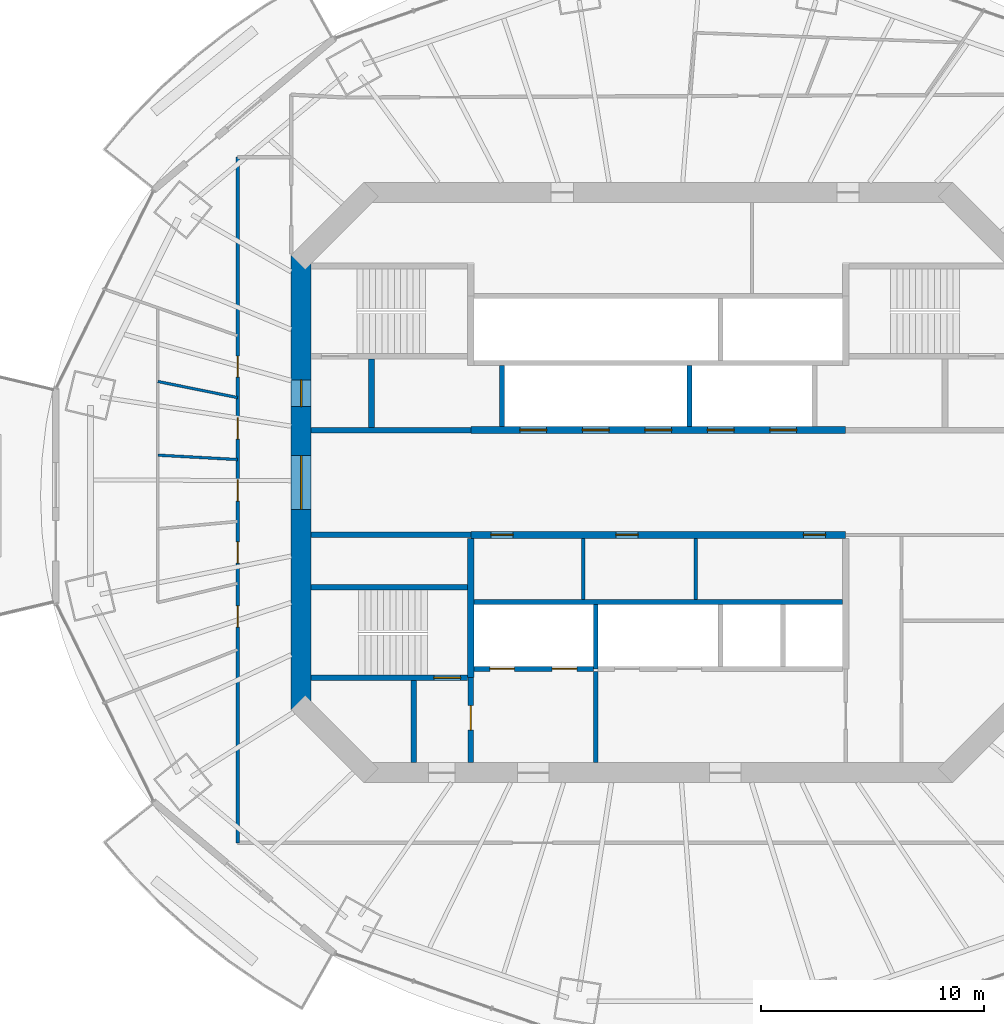
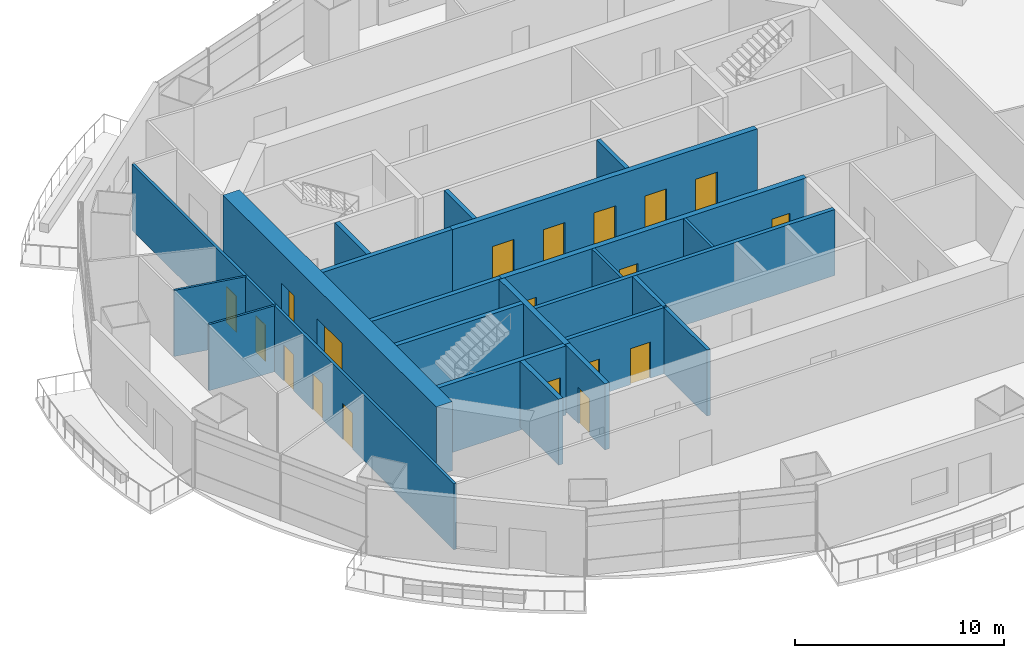
# One storey, part 11 of 16: 22 walls, 19 doors, 19 openings.
"""IFC4 building model written with IfcOpenShell, lengths in metres."""

import ifcopenshell
import ifcopenshell.guid

model = None  # the IFC model being written
_history = None  # IfcOwnerHistory: only IFC2X3 demands one
_inside = {}  # id of a spatial element -> (the spatial element, [elements in it])
_under = {}  # id of a project, library or spatial element -> (it, [spatial elements below it])
_declared = {}  # id of a project -> (the project, [libraries it declares])
_typed = {}  # id of a type object -> (the type object, [elements of that type])
_made_of = {}  # id of a material, layer set ... -> (it, [elements and type objects made of it])


def new_model(schema):
    """Start an empty IFC model of exactly this schema.

    Asked for "IFC4X3", IfcOpenShell would pick the latest addendum, in which some entities
    have other attributes; the version numbers below select the first issue.
    IFC2X3 requires an IfcOwnerHistory on every rooted entity: one is made here for all.
    """
    global model, _history
    if schema == "IFC4X3":
        model = ifcopenshell.file(schema_version=(4, 3, 0, 0))
    else:
        model = ifcopenshell.file(schema=schema)
    _inside.clear()
    _under.clear()
    _declared.clear()
    _typed.clear()
    _made_of.clear()
    _history = None
    if model.schema == "IFC2X3":
        org = make("IfcOrganization", Name="unknown")
        user = make(
            "IfcPersonAndOrganization",
            ThePerson=make("IfcPerson", FamilyName="unknown"),
            TheOrganization=org,
        )
        app = make(
            "IfcApplication",
            ApplicationDeveloper=org,
            Version="unknown",
            ApplicationFullName="unknown",
            ApplicationIdentifier="unknown",
        )
        _history = make(
            "IfcOwnerHistory",
            OwningUser=user,
            OwningApplication=app,
            ChangeAction="ADDED",
            CreationDate=0,
        )
    return model


def make(cls, **values):
    """One entity of the class cls with the attributes given. An attribute that is None is left unset."""
    return model.create_entity(
        cls, **{name: value for name, value in values.items() if value is not None}
    )


def rooted(cls, **values):
    """An entity with a GlobalId (a new one), such as an element, a storey or a relation."""
    return make(cls, GlobalId=ifcopenshell.guid.new(), OwnerHistory=_history, **values)


def si_unit(unit_type, name, prefix=None):
    """IfcSIUnit, for example si_unit("LENGTHUNIT", "METRE", prefix="MILLI")."""
    return make("IfcSIUnit", UnitType=unit_type, Prefix=prefix, Name=name)


def assignment(units):
    """IfcUnitAssignment: the units of a project."""
    return None if units is None else make("IfcUnitAssignment", Units=units)


def point(xyz):
    """IfcCartesianPoint."""
    return None if xyz is None else make("IfcCartesianPoint", Coordinates=xyz)


def direction(xyz):
    """IfcDirection."""
    return None if xyz is None else make("IfcDirection", DirectionRatios=xyz)


def frame(location, z_axis=None, x_axis=None):
    """IfcAxis2Placement3D, a coordinate frame: its origin and axes. An axis left out is left unset."""
    return make(
        "IfcAxis2Placement3D",
        Location=point(location),
        Axis=direction(z_axis),
        RefDirection=direction(x_axis),
    )


def frame_2d(location, x_axis=None):
    """IfcAxis2Placement2D, a coordinate frame in the plane: its origin and x axis."""
    return make(
        "IfcAxis2Placement2D", Location=point(location), RefDirection=direction(x_axis)
    )


def origin():
    """The frame at (0, 0, 0) with its axes left unset."""
    return frame((0.0, 0.0, 0.0))


def place(relative_to, where):
    """IfcLocalPlacement: puts the frame where relative to a parent placement (None: the world)."""
    return make(
        "IfcLocalPlacement", PlacementRelTo=relative_to, RelativePlacement=where
    )


def context(
    kind, dimensions, precision=None, world=None, true_north=None, identifier=None
):
    """IfcGeometricRepresentationContext, for example the 3D "Model" context."""
    return make(
        "IfcGeometricRepresentationContext",
        ContextIdentifier=identifier,
        ContextType=kind,
        CoordinateSpaceDimension=dimensions,
        Precision=precision,
        WorldCoordinateSystem=world,
        TrueNorth=true_north,
    )


def subcontext(parent, identifier, kind, view, scale=None):
    """IfcGeometricRepresentationSubContext, for example "Body" below "Model"."""
    return make(
        "IfcGeometricRepresentationSubContext",
        ContextIdentifier=identifier,
        ContextType=kind,
        ParentContext=parent,
        TargetScale=scale,
        TargetView=view,
    )


def project(units=None, contexts=None):
    """IfcProject with its units and contexts."""
    return rooted(
        "IfcProject",
        Name="project",
        RepresentationContexts=contexts,
        UnitsInContext=assignment(units),
    )


def spatial(cls, under=None, at=None, **own):
    """A site, building, storey or space (cls), placed at a placement, below another one or the project."""
    s = rooted(cls, ObjectPlacement=at, **own)
    if under is not None:
        _under.setdefault(under.id(), (under, []))[1].append(s)
    return s


def profile(cls, at=None, kind="AREA", **sizes):
    """A parametric profile (cls). Its sizes go by their IFC names, for example OverallWidth=200.0."""
    return make(cls, ProfileType=kind, Position=at, **sizes)


def rectangle(**sizes):
    """IfcRectangleProfileDef."""
    return profile("IfcRectangleProfileDef", **sizes)


def extrude(swept, where, along, depth):
    """IfcExtrudedAreaSolid: the profile swept, set in the frame where, extruded along a direction by depth."""
    return make(
        "IfcExtrudedAreaSolid",
        SweptArea=swept,
        Position=where,
        ExtrudedDirection=direction(along),
        Depth=depth,
    )


def shape(context_of_items, identifier, shape_type, items):
    """IfcShapeRepresentation: the items that make up one representation, for example the "Body"."""
    return make(
        "IfcShapeRepresentation",
        ContextOfItems=context_of_items,
        RepresentationIdentifier=identifier,
        RepresentationType=shape_type,
        Items=items,
    )


def material(Name=None, Category=None):
    """IfcMaterial."""
    return make("IfcMaterial", Name=Name, Category=Category)


def layer(
    of_material, thickness, ventilated=None, Name=None, Category=None, Priority=None
):
    """IfcMaterialLayer: one layer of a wall or slab, of a material (None: an air gap)."""
    return make(
        "IfcMaterialLayer",
        Material=of_material,
        LayerThickness=thickness,
        IsVentilated=ventilated,
        Name=Name,
        Category=Category,
        Priority=Priority,
    )


def layer_set(layers, Name=None):
    """IfcMaterialLayerSet."""
    return make("IfcMaterialLayerSet", MaterialLayers=layers, LayerSetName=Name)


def made_of(thing, what):
    """Note that an element or type object is made of a material, layer set ...; save() writes the relation."""
    if what is not None:
        _made_of.setdefault(what.id(), (what, []))[1].append(thing)
    return thing


def type_object(cls, material=None, **own):
    """A type object (cls), such as IfcWallType, which elements share."""
    return made_of(rooted(cls, **own), material)


def element(
    cls,
    number,
    at=None,
    inside=None,
    cuts=None,
    type_object=None,
    material=None,
    context=None,
    identifier="Body",
    shape_type=None,
    held_by="IfcProductDefinitionShape",
    body=None,
    shapes=None,
    **own,
):
    """One element of the class cls, such as IfcWall. Its Tag is "e" and its number.

    at: its placement. inside: the storey or other place that contains it. cuts: it is an
    opening in that element (IfcRelVoidsElement). A single representation is given by context,
    identifier, shape_type and body (its items); several are given by shapes. held_by: the class
    of the entity that holds the representations. save() writes the other relations.
    """
    e = rooted(cls, Tag="e%d" % number, ObjectPlacement=at, **own)
    if body is not None:
        shapes = [shape(context, identifier, shape_type, body)]
    if shapes is not None:
        e.Representation = make(held_by, Representations=shapes)
    if inside is not None:
        _inside.setdefault(inside.id(), (inside, []))[1].append(e)
    if cuts is not None:
        rooted(
            "IfcRelVoidsElement", RelatingBuildingElement=cuts, RelatedOpeningElement=e
        )
    if type_object is not None:
        _typed.setdefault(type_object.id(), (type_object, []))[1].append(e)
    return made_of(e, material)


def fill(opening, filler):
    """IfcRelFillsElement: the door or window that sits in an opening."""
    return rooted(
        "IfcRelFillsElement",
        RelatingOpeningElement=opening,
        RelatedBuildingElement=filler,
    )


def aggregate(whole, parts):
    """IfcRelAggregates: a whole, such as a stair, and the parts it consists of."""
    return rooted("IfcRelAggregates", RelatingObject=whole, RelatedObjects=parts)


def save(model, path):
    """Write the relations noted so far, then the file.

    IfcRelAggregates (storeys below a building ...), IfcRelContainedInSpatialStructure (elements
    in a storey), IfcRelDefinesByType, IfcRelAssociatesMaterial and IfcRelDeclares: one each for
    every whole, place, type object, material and project.
    """
    for whole, parts in _under.values():
        aggregate(whole, parts)
    for where, things in _inside.values():
        rooted(
            "IfcRelContainedInSpatialStructure",
            RelatedElements=things,
            RelatingStructure=where,
        )
    for kind, things in _typed.values():
        rooted("IfcRelDefinesByType", RelatedObjects=things, RelatingType=kind)
    for what, things in _made_of.values():
        rooted("IfcRelAssociatesMaterial", RelatedObjects=things, RelatingMaterial=what)
    for by, libraries in _declared.values():
        rooted("IfcRelDeclares", RelatingContext=by, RelatedDefinitions=libraries)
    model.write(path)


model = new_model("IFC4")

# Units and contexts
model_context = context("Model", 3, precision=1e-05, world=origin(), true_north=direction((0.0, 1.0)))
body_context = subcontext(model_context, "Body", "Model", "MODEL_VIEW")
ifc_project = project(units=[si_unit("LENGTHUNIT", "METRE"), si_unit("AREAUNIT", "SQUARE_METRE"), si_unit("VOLUMEUNIT", "CUBIC_METRE"), si_unit("PLANEANGLEUNIT", "RADIAN"), si_unit("MASSUNIT", "GRAM", prefix="KILO")], contexts=[model_context])

# Site, building, storey
site_placement = place(None, origin())
site = spatial("IfcSite", under=ifc_project, at=site_placement, CompositionType="ELEMENT")
building_placement = place(site_placement, origin())
building = spatial("IfcBuilding", under=site, at=building_placement, Name="Marenthal Gate Tower", CompositionType="ELEMENT")
storey_placement = place(building_placement, frame((0.0, 0.0, 268.949951171875)))
storey = spatial("IfcBuildingStorey", under=building, at=storey_placement, Name="L60", CompositionType="ELEMENT", Elevation=268.949951171875)

# Wall, openings, doors
ifc_material_1 = material(Name="Concrete 60 MPa", Category="concrete")
ifc_layer_1 = layer(ifc_material_1, 0.89990234375)
ifc_layer_set_1 = layer_set([ifc_layer_1], Name="Core shear wall 900")
wall_type_1 = type_object("IfcWallType", Name="Core shear wall 900", PredefinedType="SHEAR", material=ifc_layer_set_1)
wall_1_placement = place(storey_placement, frame((-16.0, 10.186279296875, -0.179931640625), z_axis=(0.0, 0.0, 1.0), x_axis=(0.0, -1.0, 0.0)))
wall_1 = element("IfcWall", 1, at=wall_1_placement, inside=storey, type_object=wall_type_1, Name="Core wall 06", PredefinedType="SHEAR", context=body_context, shape_type="SweptSolid", body=[
    extrude(rectangle(XDim=20.37255859375, YDim=0.89990234375, at=frame_2d((10.186279296875, 0.0))), origin(), (0.0, 0.0, 1.0), 4.030029296875),
])
opening_1_placement = place(wall_1_placement, frame((8.986328125, 0.0, 0.179931640625)))
opening_1 = element("IfcOpeningElement", 2, at=opening_1_placement, cuts=wall_1, Name="Opening D003.01", PredefinedType="OPENING", context=body_context, shape_type="SweptSolid", body=[
    extrude(rectangle(XDim=2.39990234375, YDim=2.10009765625, at=frame_2d((1.199951171875, 1.050048828125))), frame((0.0, 0.4599609375, 0.0), z_axis=(0.0, -1.0, 0.0), x_axis=(1.0, 0.0, 0.0)), (0.0, 0.0, 1.0), 0.919921875),
])
opening_2_placement = place(wall_1_placement, frame((5.58642578125, 0.0, 0.179931640625)))
opening_2 = element("IfcOpeningElement", 3, at=opening_2_placement, cuts=wall_1, Name="Opening D001.04", PredefinedType="OPENING", context=body_context, shape_type="SweptSolid", body=[
    extrude(rectangle(XDim=1.199951171875, YDim=2.10009765625, at=frame_2d((0.60009765625, 1.050048828125))), frame((0.0, 0.4599609375, 0.0), z_axis=(0.0, -1.0, 0.0), x_axis=(1.0, 0.0, 0.0)), (0.0, 0.0, 1.0), 0.919921875),
])
ifc_material_2 = material(Name="Steel fire door", Category="steel")
door_type_1 = type_object("IfcDoorType", Name="Double fire door FD 45 2400 x 2100", OperationType="DOUBLE_DOOR_SINGLE_SWING", PredefinedType="DOOR", material=ifc_material_2)
door_1_placement = place(opening_1_placement, origin())
door_1 = element("IfcDoor", 4, at=door_1_placement, inside=storey, type_object=door_type_1, Name="Door D003.01", OperationType="DOUBLE_DOOR_SINGLE_SWING", OverallHeight=2.10009765625, OverallWidth=2.39990234375, PredefinedType="DOOR", context=body_context, shape_type="SweptSolid", body=[
    extrude(rectangle(XDim=2.39990234375, YDim=2.10009765625, at=frame_2d((1.199951171875, 1.050048828125))), frame((0.0, 0.02490234375, 0.0), z_axis=(0.0, -1.0, 0.0), x_axis=(1.0, 0.0, 0.0)), (0.0, 0.0, 1.0), 0.050048828125),
])
fill(opening_1, door_1)
ifc_material_3 = material(Name="Steel fire door", Category="steel")
door_type_2 = type_object("IfcDoorType", Name="Fire door FD 90 1200 x 2100", OperationType="NOTDEFINED", PredefinedType="DOOR", material=ifc_material_3)
door_2_placement = place(opening_2_placement, origin())
door_2 = element("IfcDoor", 5, at=door_2_placement, inside=storey, type_object=door_type_2, Name="Door D001.04", OperationType="SINGLE_SWING_RIGHT", OverallHeight=2.10009765625, OverallWidth=1.199951171875, PredefinedType="DOOR", context=body_context, shape_type="SweptSolid", body=[
    extrude(rectangle(XDim=1.199951171875, YDim=2.10009765625, at=frame_2d((0.60009765625, 1.050048828125))), frame((0.0, 0.02490234375, 0.0), z_axis=(0.0, -1.0, 0.0), x_axis=(1.0, 0.0, 0.0)), (0.0, 0.0, 1.0), 0.050048828125),
])
fill(opening_2, door_2)

# Wall
ifc_material_4 = material(Name="Gypsum board on steel studs", Category="steel")
ifc_layer_2 = layer(ifc_material_4, 0.199951171875)
ifc_layer_set_2 = layer_set([ifc_layer_2], Name="Fire lobby wall 200")
wall_type_2 = type_object("IfcWallType", Name="Fire lobby wall 200", PredefinedType="PARTITIONING", material=ifc_layer_set_2)
wall_2_placement = place(storey_placement, frame((-2.800048828125, -12.550048828125, 0.0), z_axis=(0.0, 0.0, 1.0), x_axis=(0.0, 1.0, 0.0)))
element("IfcWall", 6, at=wall_2_placement, inside=storey, type_object=wall_type_2, Name="Fire wall 35", PredefinedType="PARTITIONING", context=body_context, shape_type="SweptSolid", body=[
    extrude(rectangle(XDim=4.090087890625, YDim=0.199951171875, at=frame_2d((2.044921875, 0.0))), origin(), (0.0, 0.0, 1.0), 3.85009765625),
])

# Wall, openings, doors
ifc_material_5 = material(Name="Concrete 50 MPa", Category="concrete")
ifc_layer_3 = layer(ifc_material_5, 0.300048828125)
ifc_layer_set_3 = layer_set([ifc_layer_3], Name="Hoistway shear wall 300")
wall_type_3 = type_object("IfcWallType", Name="Hoistway shear wall 300", PredefinedType="SHEAR", material=ifc_layer_set_3)
wall_3_placement = place(storey_placement, frame((-8.39990234375, -2.35009765625, -0.179931640625), z_axis=(0.0, 0.0, 1.0), x_axis=(1.0, 0.0, 0.0)))
wall_3 = element("IfcWall", 7, at=wall_3_placement, inside=storey, type_object=wall_type_3, Name="Hoistway wall 16", PredefinedType="SHEAR", context=body_context, shape_type="SweptSolid", body=[
    extrude(rectangle(XDim=16.7998046875, YDim=0.300048828125, at=frame_2d((8.39990234375, 0.0))), origin(), (0.0, 0.0, 1.0), 4.030029296875),
])
opening_3_placement = place(wall_3_placement, frame((0.89990234375, 0.0, 0.179931640625)))
opening_3 = element("IfcOpeningElement", 8, at=opening_3_placement, cuts=wall_3, Name="Opening D005.01", PredefinedType="OPENING", context=body_context, shape_type="SweptSolid", body=[
    extrude(rectangle(XDim=1.0, YDim=2.10009765625, at=frame_2d((0.5, 1.050048828125))), frame((0.0, 0.16015625, 0.0), z_axis=(0.0, -1.0, 0.0), x_axis=(1.0, 0.0, 0.0)), (0.0, 0.0, 1.0), 0.320068359375),
])
opening_4_placement = place(wall_3_placement, frame((6.5, 0.0, 0.179931640625)))
opening_4 = element("IfcOpeningElement", 9, at=opening_4_placement, cuts=wall_3, Name="Opening D005.02", PredefinedType="OPENING", context=body_context, shape_type="SweptSolid", body=[
    extrude(rectangle(XDim=1.0, YDim=2.10009765625, at=frame_2d((0.5, 1.050048828125))), frame((0.0, 0.16015625, 0.0), z_axis=(0.0, -1.0, 0.0), x_axis=(1.0, 0.0, 0.0)), (0.0, 0.0, 1.0), 0.320068359375),
])
opening_5_placement = place(wall_3_placement, frame((14.89990234375, 0.0, 0.179931640625)))
opening_5 = element("IfcOpeningElement", 10, at=opening_5_placement, cuts=wall_3, Name="Opening D005.03", PredefinedType="OPENING", context=body_context, shape_type="SweptSolid", body=[
    extrude(rectangle(XDim=1.0, YDim=2.10009765625, at=frame_2d((0.5, 1.050048828125))), frame((0.0, 0.16015625, 0.0), z_axis=(0.0, -1.0, 0.0), x_axis=(1.0, 0.0, 0.0)), (0.0, 0.0, 1.0), 0.320068359375),
])
ifc_material_6 = material(Name="Steel fire door", Category="steel")
door_type_3 = type_object("IfcDoorType", Name="Fire door FD 45 1000 x 2100", OperationType="NOTDEFINED", PredefinedType="DOOR", material=ifc_material_6)
door_3_placement = place(opening_3_placement, frame((1.0, 0.0, 0.0), z_axis=(0.0, 0.0, 1.0), x_axis=(-1.0, 0.0, 0.0)))
door_3 = element("IfcDoor", 11, at=door_3_placement, inside=storey, type_object=door_type_3, Name="Door D005.01", OperationType="SINGLE_SWING_LEFT", OverallHeight=2.10009765625, OverallWidth=1.0, PredefinedType="DOOR", context=body_context, shape_type="SweptSolid", body=[
    extrude(rectangle(XDim=1.0, YDim=2.10009765625, at=frame_2d((0.5, 1.050048828125))), frame((0.0, 0.02490234375, 0.0), z_axis=(0.0, -1.0, 0.0), x_axis=(1.0, 0.0, 0.0)), (0.0, 0.0, 1.0), 0.050048828125),
])
fill(opening_3, door_3)
door_4_placement = place(opening_4_placement, frame((1.0, 0.0, 0.0), z_axis=(0.0, 0.0, 1.0), x_axis=(-1.0, 0.0, 0.0)))
door_4 = element("IfcDoor", 12, at=door_4_placement, inside=storey, type_object=door_type_3, Name="Door D005.02", OperationType="SINGLE_SWING_LEFT", OverallHeight=2.10009765625, OverallWidth=1.0, PredefinedType="DOOR", context=body_context, shape_type="SweptSolid", body=[
    extrude(rectangle(XDim=1.0, YDim=2.10009765625, at=frame_2d((0.5, 1.050048828125))), frame((0.0, 0.02490234375, 0.0), z_axis=(0.0, -1.0, 0.0), x_axis=(1.0, 0.0, 0.0)), (0.0, 0.0, 1.0), 0.050048828125),
])
fill(opening_4, door_4)
door_5_placement = place(opening_5_placement, frame((1.0, 0.0, 0.0), z_axis=(0.0, 0.0, 1.0), x_axis=(-1.0, 0.0, 0.0)))
door_5 = element("IfcDoor", 13, at=door_5_placement, inside=storey, type_object=door_type_3, Name="Door D005.03", OperationType="SINGLE_SWING_LEFT", OverallHeight=2.10009765625, OverallWidth=1.0, PredefinedType="DOOR", context=body_context, shape_type="SweptSolid", body=[
    extrude(rectangle(XDim=1.0, YDim=2.10009765625, at=frame_2d((0.5, 1.050048828125))), frame((0.0, 0.02490234375, 0.0), z_axis=(0.0, -1.0, 0.0), x_axis=(1.0, 0.0, 0.0)), (0.0, 0.0, 1.0), 0.050048828125),
])
fill(opening_5, door_5)

wall_4_placement = place(storey_placement, frame((-8.39990234375, 2.35009765625, -0.179931640625), z_axis=(0.0, 0.0, 1.0), x_axis=(1.0, 0.0, 0.0)))
wall_4 = element("IfcWall", 14, at=wall_4_placement, inside=storey, type_object=wall_type_3, Name="Hoistway wall 19", PredefinedType="SHEAR", context=body_context, shape_type="SweptSolid", body=[
    extrude(rectangle(XDim=16.7998046875, YDim=0.300048828125, at=frame_2d((8.39990234375, 0.0))), origin(), (0.0, 0.0, 1.0), 4.030029296875),
])
opening_6_placement = place(wall_4_placement, frame((2.199951171875, 0.0, 0.179931640625)))
opening_6 = element("IfcOpeningElement", 15, at=opening_6_placement, cuts=wall_4, Name="Opening LD-MP1", PredefinedType="OPENING", context=body_context, shape_type="SweptSolid", body=[
    extrude(rectangle(XDim=1.199951171875, YDim=2.10009765625, at=frame_2d((0.60009765625, 1.050048828125))), frame((0.0, 0.16015625, 0.0), z_axis=(0.0, -1.0, 0.0), x_axis=(1.0, 0.0, 0.0)), (0.0, 0.0, 1.0), 0.320068359375),
])
opening_7_placement = place(wall_4_placement, frame((5.0, 0.0, 0.179931640625)))
opening_7 = element("IfcOpeningElement", 16, at=opening_7_placement, cuts=wall_4, Name="Opening LD-MP2", PredefinedType="OPENING", context=body_context, shape_type="SweptSolid", body=[
    extrude(rectangle(XDim=1.199951171875, YDim=2.10009765625, at=frame_2d((0.60009765625, 1.050048828125))), frame((0.0, 0.16015625, 0.0), z_axis=(0.0, -1.0, 0.0), x_axis=(1.0, 0.0, 0.0)), (0.0, 0.0, 1.0), 0.320068359375),
])
opening_8_placement = place(wall_4_placement, frame((7.800048828125, 0.0, 0.179931640625)))
opening_8 = element("IfcOpeningElement", 17, at=opening_8_placement, cuts=wall_4, Name="Opening LD-MP3", PredefinedType="OPENING", context=body_context, shape_type="SweptSolid", body=[
    extrude(rectangle(XDim=1.199951171875, YDim=2.10009765625, at=frame_2d((0.60009765625, 1.050048828125))), frame((0.0, 0.16015625, 0.0), z_axis=(0.0, -1.0, 0.0), x_axis=(1.0, 0.0, 0.0)), (0.0, 0.0, 1.0), 0.320068359375),
])
opening_9_placement = place(wall_4_placement, frame((10.60009765625, 0.0, 0.179931640625)))
opening_9 = element("IfcOpeningElement", 18, at=opening_9_placement, cuts=wall_4, Name="Opening LD-MP4", PredefinedType="OPENING", context=body_context, shape_type="SweptSolid", body=[
    extrude(rectangle(XDim=1.199951171875, YDim=2.10009765625, at=frame_2d((0.60009765625, 1.050048828125))), frame((0.0, 0.16015625, 0.0), z_axis=(0.0, -1.0, 0.0), x_axis=(1.0, 0.0, 0.0)), (0.0, 0.0, 1.0), 0.320068359375),
])
opening_10_placement = place(wall_4_placement, frame((13.39990234375, 0.0, 0.179931640625)))
opening_10 = element("IfcOpeningElement", 19, at=opening_10_placement, cuts=wall_4, Name="Opening LD-MP5", PredefinedType="OPENING", context=body_context, shape_type="SweptSolid", body=[
    extrude(rectangle(XDim=1.199951171875, YDim=2.10009765625, at=frame_2d((0.60009765625, 1.050048828125))), frame((0.0, 0.16015625, 0.0), z_axis=(0.0, -1.0, 0.0), x_axis=(1.0, 0.0, 0.0)), (0.0, 0.0, 1.0), 0.320068359375),
])
ifc_material_7 = material(Name="Stainless steel sliding door", Category="steel")
door_type_4 = type_object("IfcDoorType", Name="Lift landing door FD 90 1200 x 2100", OperationType="DOUBLE_DOOR_SLIDING", PredefinedType="DOOR", material=ifc_material_7)
door_6_placement = place(opening_6_placement, origin())
door_6 = element("IfcDoor", 20, at=door_6_placement, inside=storey, type_object=door_type_4, Name="Lift landing door MP1", OperationType="DOUBLE_DOOR_SLIDING", OverallHeight=2.10009765625, OverallWidth=1.199951171875, PredefinedType="DOOR", context=body_context, shape_type="SweptSolid", body=[
    extrude(rectangle(XDim=1.199951171875, YDim=2.10009765625, at=frame_2d((0.60009765625, 1.050048828125))), frame((0.0, 0.02490234375, 0.0), z_axis=(0.0, -1.0, 0.0), x_axis=(1.0, 0.0, 0.0)), (0.0, 0.0, 1.0), 0.050048828125),
])
fill(opening_6, door_6)
door_7_placement = place(opening_7_placement, origin())
door_7 = element("IfcDoor", 21, at=door_7_placement, inside=storey, type_object=door_type_4, Name="Lift landing door MP2", OperationType="DOUBLE_DOOR_SLIDING", OverallHeight=2.10009765625, OverallWidth=1.199951171875, PredefinedType="DOOR", context=body_context, shape_type="SweptSolid", body=[
    extrude(rectangle(XDim=1.199951171875, YDim=2.10009765625, at=frame_2d((0.60009765625, 1.050048828125))), frame((0.0, 0.02490234375, 0.0), z_axis=(0.0, -1.0, 0.0), x_axis=(1.0, 0.0, 0.0)), (0.0, 0.0, 1.0), 0.050048828125),
])
fill(opening_7, door_7)
door_8_placement = place(opening_8_placement, origin())
door_8 = element("IfcDoor", 22, at=door_8_placement, inside=storey, type_object=door_type_4, Name="Lift landing door MP3", OperationType="DOUBLE_DOOR_SLIDING", OverallHeight=2.10009765625, OverallWidth=1.199951171875, PredefinedType="DOOR", context=body_context, shape_type="SweptSolid", body=[
    extrude(rectangle(XDim=1.199951171875, YDim=2.10009765625, at=frame_2d((0.60009765625, 1.050048828125))), frame((0.0, 0.02490234375, 0.0), z_axis=(0.0, -1.0, 0.0), x_axis=(1.0, 0.0, 0.0)), (0.0, 0.0, 1.0), 0.050048828125),
])
fill(opening_8, door_8)
door_9_placement = place(opening_9_placement, origin())
door_9 = element("IfcDoor", 23, at=door_9_placement, inside=storey, type_object=door_type_4, Name="Lift landing door MP4", OperationType="DOUBLE_DOOR_SLIDING", OverallHeight=2.10009765625, OverallWidth=1.199951171875, PredefinedType="DOOR", context=body_context, shape_type="SweptSolid", body=[
    extrude(rectangle(XDim=1.199951171875, YDim=2.10009765625, at=frame_2d((0.60009765625, 1.050048828125))), frame((0.0, 0.02490234375, 0.0), z_axis=(0.0, -1.0, 0.0), x_axis=(1.0, 0.0, 0.0)), (0.0, 0.0, 1.0), 0.050048828125),
])
fill(opening_9, door_9)
door_10_placement = place(opening_10_placement, origin())
door_10 = element("IfcDoor", 24, at=door_10_placement, inside=storey, type_object=door_type_4, Name="Lift landing door MP5", OperationType="DOUBLE_DOOR_SLIDING", OverallHeight=2.10009765625, OverallWidth=1.199951171875, PredefinedType="DOOR", context=body_context, shape_type="SweptSolid", body=[
    extrude(rectangle(XDim=1.199951171875, YDim=2.10009765625, at=frame_2d((0.60009765625, 1.050048828125))), frame((0.0, 0.02490234375, 0.0), z_axis=(0.0, -1.0, 0.0), x_axis=(1.0, 0.0, 0.0)), (0.0, 0.0, 1.0), 0.050048828125),
])
fill(opening_10, door_10)

# Wall
wall_5_placement = place(storey_placement, frame((-8.39990234375, -8.75, -0.179931640625), z_axis=(0.0, 0.0, 1.0), x_axis=(0.0, 1.0, 0.0)))
element("IfcWall", 25, at=wall_5_placement, inside=storey, type_object=wall_type_3, Name="Hoistway wall 30", PredefinedType="SHEAR", context=body_context, shape_type="SweptSolid", body=[
    extrude(rectangle(XDim=6.25, YDim=0.300048828125, at=frame_2d((3.125, 0.0))), origin(), (0.0, 0.0, 1.0), 4.030029296875),
])

# Wall, openings, doors
ifc_material_8 = material(Name="Concrete 40 MPa", Category="concrete")
ifc_layer_4 = layer(ifc_material_8, 0.219970703125)
ifc_layer_set_4 = layer_set([ifc_layer_4], Name="Hoistway wall 220")
wall_type_4 = type_object("IfcWallType", Name="Hoistway wall 220", PredefinedType="STANDARD", material=ifc_layer_set_4)
wall_6_placement = place(storey_placement, frame((-8.25, -8.35009765625, 0.0), z_axis=(0.0, 0.0, 1.0), x_axis=(1.0, 0.0, 0.0)))
wall_6 = element("IfcWall", 26, at=wall_6_placement, inside=storey, type_object=wall_type_4, Name="Hoistway wall 10", PredefinedType="STANDARD", context=body_context, shape_type="SweptSolid", body=[
    extrude(rectangle(XDim=5.340087890625, YDim=0.219970703125, at=frame_2d((2.669921875, 0.0))), origin(), (0.0, 0.0, 1.0), 3.85009765625),
])
opening_11_placement = place(wall_6_placement, frame((0.699951171875, 0.0, 0.0)))
opening_11 = element("IfcOpeningElement", 27, at=opening_11_placement, cuts=wall_6, Name="Opening LD-LF1", PredefinedType="OPENING", context=body_context, shape_type="SweptSolid", body=[
    extrude(rectangle(XDim=1.10009765625, YDim=2.10009765625, at=frame_2d((0.550048828125, 1.050048828125))), frame((0.0, 0.1201171875, 0.0), z_axis=(0.0, -1.0, 0.0), x_axis=(1.0, 0.0, 0.0)), (0.0, 0.0, 1.0), 0.239990234375),
])
opening_12_placement = place(wall_6_placement, frame((3.5, 0.0, 0.0)))
opening_12 = element("IfcOpeningElement", 28, at=opening_12_placement, cuts=wall_6, Name="Opening LD-LF2", PredefinedType="OPENING", context=body_context, shape_type="SweptSolid", body=[
    extrude(rectangle(XDim=1.10009765625, YDim=2.10009765625, at=frame_2d((0.550048828125, 1.050048828125))), frame((0.0, 0.1201171875, 0.0), z_axis=(0.0, -1.0, 0.0), x_axis=(1.0, 0.0, 0.0)), (0.0, 0.0, 1.0), 0.239990234375),
])
ifc_material_9 = material(Name="Stainless steel sliding door", Category="steel")
door_type_5 = type_object("IfcDoorType", Name="Lift landing door FD 90 1100 x 2100", OperationType="DOUBLE_DOOR_SLIDING", PredefinedType="DOOR", material=ifc_material_9)
door_11_placement = place(opening_11_placement, origin())
door_11 = element("IfcDoor", 29, at=door_11_placement, inside=storey, type_object=door_type_5, Name="Lift landing door LF1", OperationType="DOUBLE_DOOR_SLIDING", OverallHeight=2.10009765625, OverallWidth=1.10009765625, PredefinedType="DOOR", context=body_context, shape_type="SweptSolid", body=[
    extrude(rectangle(XDim=1.10009765625, YDim=2.10009765625, at=frame_2d((0.550048828125, 1.050048828125))), frame((0.0, 0.02490234375, 0.0), z_axis=(0.0, -1.0, 0.0), x_axis=(1.0, 0.0, 0.0)), (0.0, 0.0, 1.0), 0.050048828125),
])
fill(opening_11, door_11)
door_12_placement = place(opening_12_placement, origin())
door_12 = element("IfcDoor", 30, at=door_12_placement, inside=storey, type_object=door_type_5, Name="Lift landing door LF2", OperationType="DOUBLE_DOOR_SLIDING", OverallHeight=2.10009765625, OverallWidth=1.10009765625, PredefinedType="DOOR", context=body_context, shape_type="SweptSolid", body=[
    extrude(rectangle(XDim=1.10009765625, YDim=2.10009765625, at=frame_2d((0.550048828125, 1.050048828125))), frame((0.0, 0.02490234375, 0.0), z_axis=(0.0, -1.0, 0.0), x_axis=(1.0, 0.0, 0.0)), (0.0, 0.0, 1.0), 0.050048828125),
])
fill(opening_12, door_12)

# Walls
wall_7_placement = place(storey_placement, frame((-8.25, -5.35009765625, 0.0), z_axis=(0.0, 0.0, 1.0), x_axis=(1.0, 0.0, 0.0)))
element("IfcWall", 31, at=wall_7_placement, inside=storey, type_object=wall_type_4, Name="Hoistway wall 13", PredefinedType="STANDARD", context=body_context, shape_type="SweptSolid", body=[
    extrude(rectangle(XDim=16.5, YDim=0.219970703125, at=frame_2d((8.25, 0.0))), origin(), (0.0, 0.0, 1.0), 3.85009765625),
])
wall_8_placement = place(storey_placement, frame((-7.0, 2.5, 0.0), z_axis=(0.0, 0.0, 1.0), x_axis=(0.0, 1.0, 0.0)))
element("IfcWall", 32, at=wall_8_placement, inside=storey, type_object=wall_type_4, Name="Hoistway wall 33", PredefinedType="STANDARD", context=body_context, shape_type="SweptSolid", body=[
    extrude(rectangle(XDim=2.739990234375, YDim=0.219970703125, at=frame_2d((1.3701171875, 0.0))), origin(), (0.0, 0.0, 1.0), 3.85009765625),
])
wall_9_placement = place(storey_placement, frame((-2.800048828125, -8.35009765625, 0.0), z_axis=(0.0, 0.0, 1.0), x_axis=(0.0, 1.0, 0.0)))
element("IfcWall", 33, at=wall_9_placement, inside=storey, type_object=wall_type_4, Name="Hoistway wall 36", PredefinedType="STANDARD", context=body_context, shape_type="SweptSolid", body=[
    extrude(rectangle(XDim=2.89013671875, YDim=0.219970703125, at=frame_2d((1.445068359375, 0.0))), origin(), (0.0, 0.0, 1.0), 3.85009765625),
])
wall_10_placement = place(storey_placement, frame((1.39990234375, 2.5, 0.0), z_axis=(0.0, 0.0, 1.0), x_axis=(0.0, 1.0, 0.0)))
element("IfcWall", 34, at=wall_10_placement, inside=storey, type_object=wall_type_4, Name="Hoistway wall 37", PredefinedType="STANDARD", context=body_context, shape_type="SweptSolid", body=[
    extrude(rectangle(XDim=2.739990234375, YDim=0.219970703125, at=frame_2d((1.3701171875, 0.0))), origin(), (0.0, 0.0, 1.0), 3.85009765625),
])
ifc_material_10 = material(Name="Gypsum board on steel studs", Category="steel")
ifc_layer_5 = layer(ifc_material_10, 0.1201171875)
ifc_layer_set_5 = layer_set([ifc_layer_5], Name="Partition 120")
wall_type_5 = type_object("IfcWallType", Name="Partition 120", PredefinedType="PARTITIONING", material=ifc_layer_set_5)
wall_11_placement = place(storey_placement, frame((-22.4228515625, 1.223876953125, 0.0), z_axis=(0.0, 0.0, 1.0), x_axis=(0.998512805401, -0.054517680164, 0.0)))
element("IfcWall", 35, at=wall_11_placement, inside=storey, type_object=wall_type_5, Name="Partition wall 52", PredefinedType="PARTITIONING", context=body_context, shape_type="SweptSolid", body=[
    extrude(rectangle(XDim=3.578125, YDim=0.1201171875, at=frame_2d((1.7890625, 0.0))), origin(), (0.0, 0.0, 1.0), 3.85009765625),
])
wall_12_placement = place(storey_placement, frame((-22.4228515625, 4.525634765625, 0.0), z_axis=(0.0, 0.0, 1.0), x_axis=(0.980228738347, -0.19786768437, 0.0)))
element("IfcWall", 36, at=wall_12_placement, inside=storey, type_object=wall_type_5, Name="Partition wall 53", PredefinedType="PARTITIONING", context=body_context, shape_type="SweptSolid", body=[
    extrude(rectangle(XDim=3.644775390625, YDim=0.1201171875, at=frame_2d((1.822265625, 0.0))), origin(), (0.0, 0.0, 1.0), 3.85009765625),
])
ifc_material_11 = material(Name="Gypsum board on steel studs", Category="steel")
ifc_layer_6 = layer(ifc_material_11, 0.14990234375)
ifc_layer_set_6 = layer_set([ifc_layer_6], Name="Partition 150")
wall_type_6 = type_object("IfcWallType", Name="Partition 150", PredefinedType="PARTITIONING", material=ifc_layer_set_6)
for number, where, z_axis, x_axis, name in (
    (37, (-3.360107421875, -5.239990234375, 0.0), (0.0, 0.0, 1.0), (0.0, 1.0, 0.0), "Partition wall 34"),
    (38, (1.679931640625, -5.239990234375, 0.0), (0.0, 0.0, 1.0), (0.0, 1.0, 0.0), "Partition wall 38"),
):
    element("IfcWall", number, at=place(storey_placement, frame(where, z_axis=z_axis, x_axis=x_axis)), inside=storey, type_object=wall_type_6, Name=name, PredefinedType="PARTITIONING", context=body_context, shape_type="SweptSolid", body=[
        extrude(rectangle(XDim=2.739990234375, YDim=0.14990234375, at=frame_2d((1.3701171875, 0.0))), origin(), (0.0, 0.0, 1.0), 3.85009765625),
    ])

# Wall, openings, doors
wall_13_placement = place(storey_placement, frame((-18.85009765625, -16.14990234375, 0.0), z_axis=(0.0, 0.0, 1.0), x_axis=(0.0, 1.0, 0.0)))
wall_13 = element("IfcWall", 39, at=wall_13_placement, inside=storey, type_object=wall_type_6, Name="Partition wall 55", PredefinedType="PARTITIONING", context=body_context, shape_type="SweptSolid", body=[
    extrude(rectangle(XDim=30.72998046875, YDim=0.14990234375, at=frame_2d((15.364990234375, 0.0))), origin(), (0.0, 0.0, 1.0), 3.85009765625),
])
opening_13_placement = place(wall_13_placement, frame((20.866943359375, 0.0, 0.0)))
opening_13 = element("IfcOpeningElement", 40, at=opening_13_placement, cuts=wall_13, Name="Opening D016.03", PredefinedType="OPENING", context=body_context, shape_type="SweptSolid", body=[
    extrude(rectangle(XDim=0.949951171875, YDim=2.10009765625, at=frame_2d((0.47509765625, 1.050048828125))), frame((0.0, 0.0849609375, 0.0), z_axis=(0.0, -1.0, 0.0), x_axis=(1.0, 0.0, 0.0)), (0.0, 0.0, 1.0), 0.169921875),
])
opening_14_placement = place(wall_13_placement, frame((18.091064453125, 0.0, 0.0)))
opening_14 = element("IfcOpeningElement", 41, at=opening_14_placement, cuts=wall_13, Name="Opening D016.04", PredefinedType="OPENING", context=body_context, shape_type="SweptSolid", body=[
    extrude(rectangle(XDim=0.949951171875, YDim=2.10009765625, at=frame_2d((0.47509765625, 1.050048828125))), frame((0.0, 0.0849609375, 0.0), z_axis=(0.0, -1.0, 0.0), x_axis=(1.0, 0.0, 0.0)), (0.0, 0.0, 1.0), 0.169921875),
])
opening_15_placement = place(wall_13_placement, frame((15.31591796875, 0.0, 0.0)))
opening_15 = element("IfcOpeningElement", 42, at=opening_15_placement, cuts=wall_13, Name="Opening D016.05", PredefinedType="OPENING", context=body_context, shape_type="SweptSolid", body=[
    extrude(rectangle(XDim=0.949951171875, YDim=2.10009765625, at=frame_2d((0.47509765625, 1.050048828125))), frame((0.0, 0.0849609375, 0.0), z_axis=(0.0, -1.0, 0.0), x_axis=(1.0, 0.0, 0.0)), (0.0, 0.0, 1.0), 0.169921875),
])
opening_16_placement = place(wall_13_placement, frame((12.5400390625, 0.0, 0.0)))
opening_16 = element("IfcOpeningElement", 43, at=opening_16_placement, cuts=wall_13, Name="Opening D016.06", PredefinedType="OPENING", context=body_context, shape_type="SweptSolid", body=[
    extrude(rectangle(XDim=0.949951171875, YDim=2.10009765625, at=frame_2d((0.47509765625, 1.050048828125))), frame((0.0, 0.0849609375, 0.0), z_axis=(0.0, -1.0, 0.0), x_axis=(1.0, 0.0, 0.0)), (0.0, 0.0, 1.0), 0.169921875),
])
opening_17_placement = place(wall_13_placement, frame((9.66796875, 0.0, 0.0)))
opening_17 = element("IfcOpeningElement", 44, at=opening_17_placement, cuts=wall_13, Name="Opening D016.07", PredefinedType="OPENING", context=body_context, shape_type="SweptSolid", body=[
    extrude(rectangle(XDim=0.949951171875, YDim=2.10009765625, at=frame_2d((0.47509765625, 1.050048828125))), frame((0.0, 0.0849609375, 0.0), z_axis=(0.0, -1.0, 0.0), x_axis=(1.0, 0.0, 0.0)), (0.0, 0.0, 1.0), 0.169921875),
])
ifc_material_12 = material(Name="Timber door", Category="wood")
door_type_6 = type_object("IfcDoorType", Name="Door 950 x 2100", OperationType="NOTDEFINED", PredefinedType="DOOR", material=ifc_material_12)
door_13_placement = place(opening_13_placement, origin())
door_13 = element("IfcDoor", 45, at=door_13_placement, inside=storey, type_object=door_type_6, Name="Door D016.03", OperationType="SINGLE_SWING_RIGHT", OverallHeight=2.10009765625, OverallWidth=0.949951171875, PredefinedType="DOOR", context=body_context, shape_type="SweptSolid", body=[
    extrude(rectangle(XDim=0.949951171875, YDim=2.10009765625, at=frame_2d((0.47509765625, 1.050048828125))), frame((0.0, 0.02490234375, 0.0), z_axis=(0.0, -1.0, 0.0), x_axis=(1.0, 0.0, 0.0)), (0.0, 0.0, 1.0), 0.050048828125),
])
fill(opening_13, door_13)
door_14_placement = place(opening_14_placement, origin())
door_14 = element("IfcDoor", 46, at=door_14_placement, inside=storey, type_object=door_type_6, Name="Door D016.04", OperationType="SINGLE_SWING_RIGHT", OverallHeight=2.10009765625, OverallWidth=0.949951171875, PredefinedType="DOOR", context=body_context, shape_type="SweptSolid", body=[
    extrude(rectangle(XDim=0.949951171875, YDim=2.10009765625, at=frame_2d((0.47509765625, 1.050048828125))), frame((0.0, 0.02490234375, 0.0), z_axis=(0.0, -1.0, 0.0), x_axis=(1.0, 0.0, 0.0)), (0.0, 0.0, 1.0), 0.050048828125),
])
fill(opening_14, door_14)
door_15_placement = place(opening_15_placement, origin())
door_15 = element("IfcDoor", 47, at=door_15_placement, inside=storey, type_object=door_type_6, Name="Door D016.05", OperationType="SINGLE_SWING_RIGHT", OverallHeight=2.10009765625, OverallWidth=0.949951171875, PredefinedType="DOOR", context=body_context, shape_type="SweptSolid", body=[
    extrude(rectangle(XDim=0.949951171875, YDim=2.10009765625, at=frame_2d((0.47509765625, 1.050048828125))), frame((0.0, 0.02490234375, 0.0), z_axis=(0.0, -1.0, 0.0), x_axis=(1.0, 0.0, 0.0)), (0.0, 0.0, 1.0), 0.050048828125),
])
fill(opening_15, door_15)
door_16_placement = place(opening_16_placement, origin())
door_16 = element("IfcDoor", 48, at=door_16_placement, inside=storey, type_object=door_type_6, Name="Door D016.06", OperationType="SINGLE_SWING_RIGHT", OverallHeight=2.10009765625, OverallWidth=0.949951171875, PredefinedType="DOOR", context=body_context, shape_type="SweptSolid", body=[
    extrude(rectangle(XDim=0.949951171875, YDim=2.10009765625, at=frame_2d((0.47509765625, 1.050048828125))), frame((0.0, 0.02490234375, 0.0), z_axis=(0.0, -1.0, 0.0), x_axis=(1.0, 0.0, 0.0)), (0.0, 0.0, 1.0), 0.050048828125),
])
fill(opening_16, door_16)
door_17_placement = place(opening_17_placement, origin())
door_17 = element("IfcDoor", 49, at=door_17_placement, inside=storey, type_object=door_type_6, Name="Door D016.07", OperationType="SINGLE_SWING_RIGHT", OverallHeight=2.10009765625, OverallWidth=0.949951171875, PredefinedType="DOOR", context=body_context, shape_type="SweptSolid", body=[
    extrude(rectangle(XDim=0.949951171875, YDim=2.10009765625, at=frame_2d((0.47509765625, 1.050048828125))), frame((0.0, 0.02490234375, 0.0), z_axis=(0.0, -1.0, 0.0), x_axis=(1.0, 0.0, 0.0)), (0.0, 0.0, 1.0), 0.050048828125),
])
fill(opening_17, door_17)

# Walls
ifc_material_13 = material(Name="Concrete 40 MPa", Category="concrete")
ifc_layer_7 = layer(ifc_material_13, 0.25)
ifc_layer_set_7 = layer_set([ifc_layer_7], Name="Stair enclosure wall 250")
wall_type_7 = type_object("IfcWallType", Name="Stair enclosure wall 250", PredefinedType="STANDARD", material=ifc_layer_set_7)
for number, where, z_axis, x_axis, name in (
    (50, (-15.550048828125, -2.35009765625, 0.0), (0.0, 0.0, 1.0), (1.0, 0.0, 0.0), "Stair wall 15"),
    (51, (-15.550048828125, 2.35009765625, 0.0), (0.0, 0.0, 1.0), (1.0, 0.0, 0.0), "Stair wall 18"),
):
    element("IfcWall", number, at=place(storey_placement, frame(where, z_axis=z_axis, x_axis=x_axis)), inside=storey, type_object=wall_type_7, Name=name, PredefinedType="STANDARD", context=body_context, shape_type="SweptSolid", body=[
        extrude(rectangle(XDim=7.150146484375, YDim=0.25, at=frame_2d((3.5751953125, 0.0))), origin(), (0.0, 0.0, 1.0), 3.85009765625),
    ])
wall_14_placement = place(storey_placement, frame((-12.85009765625, 2.47509765625, 0.0), z_axis=(0.0, 0.0, 1.0), x_axis=(0.0, 1.0, 0.0)))
element("IfcWall", 52, at=wall_14_placement, inside=storey, type_object=wall_type_7, Name="Stair wall 27", PredefinedType="STANDARD", context=body_context, shape_type="SweptSolid", body=[
    extrude(rectangle(XDim=3.0498046875, YDim=0.25, at=frame_2d((1.52490234375, 0.0))), origin(), (0.0, 0.0, 1.0), 3.85009765625),
])
wall_15_placement = place(storey_placement, frame((-10.949951171875, -12.550048828125, 0.0), z_axis=(0.0, 0.0, 1.0), x_axis=(0.0, 1.0, 0.0)))
element("IfcWall", 53, at=wall_15_placement, inside=storey, type_object=wall_type_7, Name="Stair wall 28", PredefinedType="STANDARD", context=body_context, shape_type="SweptSolid", body=[
    extrude(rectangle(XDim=3.675048828125, YDim=0.25, at=frame_2d((1.83740234375, 0.0))), origin(), (0.0, 0.0, 1.0), 3.85009765625),
])

# Wall, opening, door
wall_16_placement = place(storey_placement, frame((-8.39990234375, -12.550048828125, 0.0), z_axis=(0.0, 0.0, 1.0), x_axis=(0.0, 1.0, 0.0)))
wall_16 = element("IfcWall", 54, at=wall_16_placement, inside=storey, type_object=wall_type_7, Name="Stair wall 29", PredefinedType="STANDARD", context=body_context, shape_type="SweptSolid", body=[
    extrude(rectangle(XDim=3.800048828125, YDim=0.25, at=frame_2d((1.89990234375, 0.0))), origin(), (0.0, 0.0, 1.0), 3.85009765625),
])
opening_18_placement = place(wall_16_placement, frame((1.449951171875, 0.0, 0.0)))
opening_18 = element("IfcOpeningElement", 55, at=opening_18_placement, cuts=wall_16, Name="Opening D002.01", PredefinedType="OPENING", context=body_context, shape_type="SweptSolid", body=[
    extrude(rectangle(XDim=1.10009765625, YDim=2.10009765625, at=frame_2d((0.550048828125, 1.050048828125))), frame((0.0, 0.135009765625, 0.0), z_axis=(0.0, -1.0, 0.0), x_axis=(1.0, 0.0, 0.0)), (0.0, 0.0, 1.0), 0.27001953125),
])
ifc_material_14 = material(Name="Steel fire door", Category="steel")
door_type_7 = type_object("IfcDoorType", Name="Fire door FD 90 1100 x 2100", OperationType="NOTDEFINED", PredefinedType="DOOR", material=ifc_material_14)
door_18_placement = place(opening_18_placement, origin())
door_18 = element("IfcDoor", 56, at=door_18_placement, inside=storey, type_object=door_type_7, Name="Door D002.01", OperationType="SINGLE_SWING_RIGHT", OverallHeight=2.10009765625, OverallWidth=1.10009765625, PredefinedType="DOOR", context=body_context, shape_type="SweptSolid", body=[
    extrude(rectangle(XDim=1.10009765625, YDim=2.10009765625, at=frame_2d((0.550048828125, 1.050048828125))), frame((0.0, 0.02490234375, 0.0), z_axis=(0.0, -1.0, 0.0), x_axis=(1.0, 0.0, 0.0)), (0.0, 0.0, 1.0), 0.050048828125),
])
fill(opening_18, door_18)

ifc_material_15 = material(Name="Concrete 50 MPa", Category="concrete")
ifc_layer_8 = layer(ifc_material_15, 0.25)
ifc_layer_set_8 = layer_set([ifc_layer_8], Name="Stair shear wall 250")
wall_type_8 = type_object("IfcWallType", Name="Stair shear wall 250", PredefinedType="SHEAR", material=ifc_layer_set_8)
wall_17_placement = place(storey_placement, frame((-15.550048828125, -8.75, -0.179931640625), z_axis=(0.0, 0.0, 1.0), x_axis=(1.0, 0.0, 0.0)))
wall_17 = element("IfcWall", 57, at=wall_17_placement, inside=storey, type_object=wall_type_8, Name="Stair wall 09", PredefinedType="SHEAR", context=body_context, shape_type="SweptSolid", body=[
    extrude(rectangle(XDim=7.0, YDim=0.25, at=frame_2d((3.5, 0.0))), origin(), (0.0, 0.0, 1.0), 4.030029296875),
])
opening_19_placement = place(wall_17_placement, frame((5.5, 0.0, 0.179931640625)))
opening_19 = element("IfcOpeningElement", 58, at=opening_19_placement, cuts=wall_17, Name="Opening D001.03", PredefinedType="OPENING", context=body_context, shape_type="SweptSolid", body=[
    extrude(rectangle(XDim=1.199951171875, YDim=2.10009765625, at=frame_2d((0.60009765625, 1.050048828125))), frame((0.0, 0.135009765625, 0.0), z_axis=(0.0, -1.0, 0.0), x_axis=(1.0, 0.0, 0.0)), (0.0, 0.0, 1.0), 0.27001953125),
])
door_19_placement = place(opening_19_placement, origin())
door_19 = element("IfcDoor", 59, at=door_19_placement, inside=storey, type_object=door_type_2, Name="Door D001.03", OperationType="SINGLE_SWING_RIGHT", OverallHeight=2.10009765625, OverallWidth=1.199951171875, PredefinedType="DOOR", context=body_context, shape_type="SweptSolid", body=[
    extrude(rectangle(XDim=1.199951171875, YDim=2.10009765625, at=frame_2d((0.60009765625, 1.050048828125))), frame((0.0, 0.02490234375, 0.0), z_axis=(0.0, -1.0, 0.0), x_axis=(1.0, 0.0, 0.0)), (0.0, 0.0, 1.0), 0.050048828125),
])
fill(opening_19, door_19)

# Wall
wall_18_placement = place(storey_placement, frame((-15.550048828125, -4.699951171875, -0.179931640625), z_axis=(0.0, 0.0, 1.0), x_axis=(1.0, 0.0, 0.0)))
element("IfcWall", 60, at=wall_18_placement, inside=storey, type_object=wall_type_8, Name="Stair wall 14", PredefinedType="SHEAR", context=body_context, shape_type="SweptSolid", body=[
    extrude(rectangle(XDim=7.0, YDim=0.25, at=frame_2d((3.5, 0.0))), origin(), (0.0, 0.0, 1.0), 4.030029296875),
])

save(model, "model.ifc")
